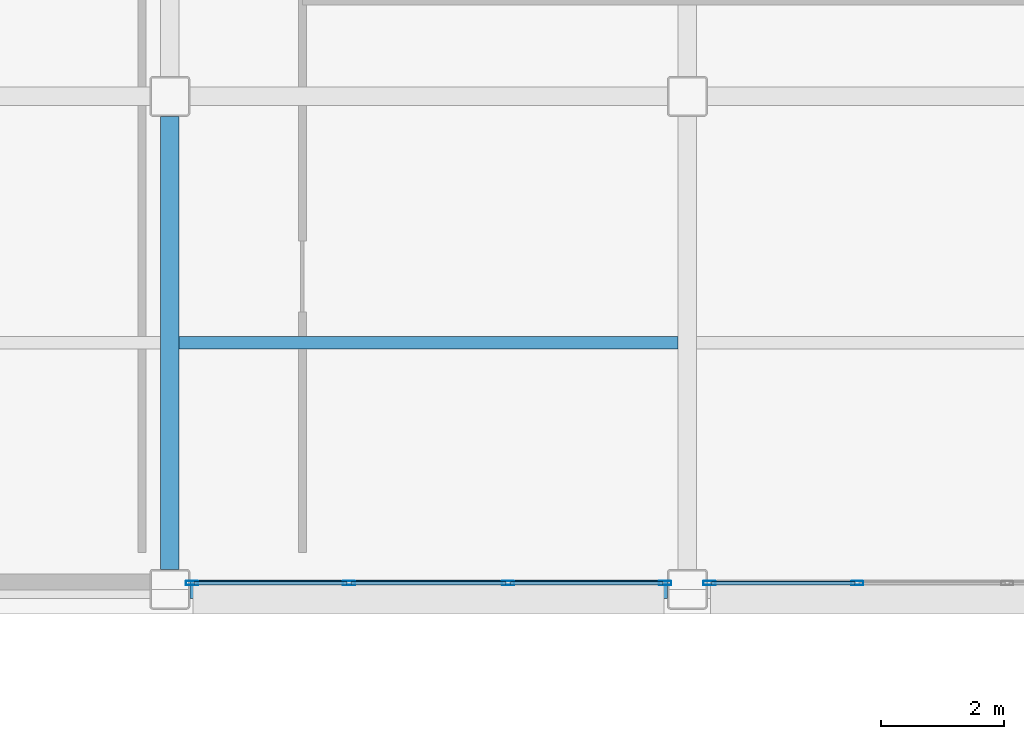
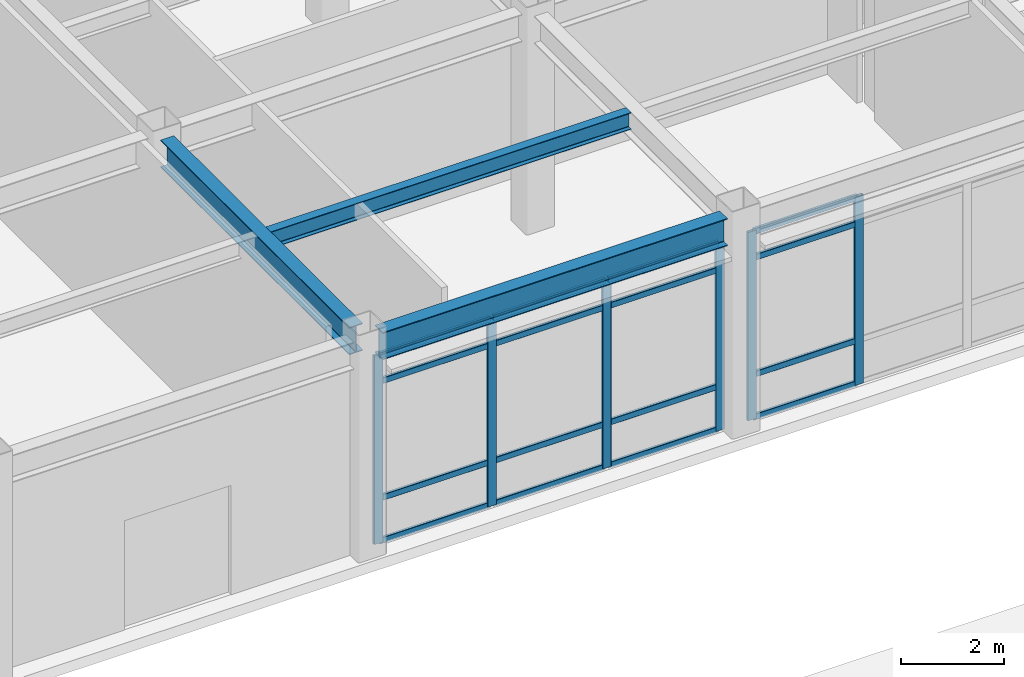
# One storey, part 42 of 165: 22 members, 3 beams, 2 elements without a shape of their own.
"""IFC4 building model written with IfcOpenShell, lengths in metres."""

from ifc_helpers import new_model, si_unit, direction, frame, origin, origin_2d, place, context, subcontext, project, spatial, hollow_rectangle, i_section, extrude, material, layer, layer_set, material_profile, profile_set, type_object, element, aggregate, save


model = new_model("IFC4")

# Units and contexts
model_context = context("Model", 3, precision=1e-05, world=origin(), true_north=direction((0.0, 1.0)))
body_context = subcontext(model_context, "Body", "Model", "MODEL_VIEW")
ifc_project = project(units=[si_unit("LENGTHUNIT", "METRE"), si_unit("AREAUNIT", "SQUARE_METRE"), si_unit("VOLUMEUNIT", "CUBIC_METRE"), si_unit("PLANEANGLEUNIT", "RADIAN"), si_unit("MASSUNIT", "GRAM", prefix="KILO")], contexts=[model_context])

# Site, building, storey
site_placement = place(None, origin())
site = spatial("IfcSite", under=ifc_project, at=site_placement, CompositionType="ELEMENT")
building_placement = place(site_placement, origin())
building = spatial("IfcBuilding", under=site, at=building_placement, Name="Kazehara Bluff Congress Hotel", CompositionType="ELEMENT")
storey_placement = place(building_placement, origin())
storey = spatial("IfcBuildingStorey", under=building, at=storey_placement, Name="L00", CompositionType="ELEMENT", Elevation=0.0)

# Curtain wall, members
ifc_material_1 = material(Name="Anodised aluminium", Category="aluminium")
ifc_layer_1 = layer(ifc_material_1, 0.159912109375)
ifc_layer_set_1 = layer_set([ifc_layer_1], Name="Anodised aluminium")
curtain_wall_type_1 = type_object("IfcCurtainWallType", Name="TP-CW-69", PredefinedType="NOTDEFINED", material=ifc_layer_set_1)
curtain_wall_1_placement = place(storey_placement, origin())
curtain_wall_1 = element("IfcCurtainWall", 1, at=curtain_wall_1_placement, inside=storey, type_object=curtain_wall_type_1, Name="L00 curtain wall CW-69 CW-ENC-V4-L00-9705-1610", PredefinedType="NOTDEFINED")
ifc_material_2 = material(Name="Anodised aluminium", Category="aluminium")
ifc_material_profile_1 = material_profile(ifc_material_2, hollow_rectangle(XDim=0.070068359375, YDim=0.199951171875, WallThickness=0.0048828125, InnerFilletRadius=0.0048828125, OuterFilletRadius=0.010009765625, at=origin_2d()))
ifc_profile_set_1 = profile_set([ifc_material_profile_1], Name="Anodised aluminium")
member_type_1 = type_object("IfcMemberType", Name="TP-CWM-03", PredefinedType="MULLION", material=ifc_profile_set_1)
member_1_placement = place(storey_placement, frame((100.889892578125, 16.10009765625, 0.0), z_axis=(0.0, 0.0, 1.0), x_axis=(0.0, -1.0, 0.0)))
member_1 = element("IfcMember", 2, at=member_1_placement, type_object=member_type_1, Name="CW-69 mullion 1", PredefinedType="MULLION", context=body_context, shape_type="SweptSolid", body=[
    extrude(hollow_rectangle(XDim=0.070068359375, YDim=0.199951171875, WallThickness=0.0048828125, InnerFilletRadius=0.0048828125, OuterFilletRadius=0.010009765625, at=origin_2d()), origin(), (0.0, 0.0, 1.0), 4.47509765625),
])
member_2_placement = place(storey_placement, frame((98.341552734375, 16.10009765625, 0.0), z_axis=(0.0, 0.0, 1.0), x_axis=(0.0, -1.0, 0.0)))
member_2 = element("IfcMember", 3, at=member_2_placement, type_object=member_type_1, Name="CW-69 mullion 2", PredefinedType="MULLION", context=body_context, shape_type="SweptSolid", body=[
    extrude(hollow_rectangle(XDim=0.070068359375, YDim=0.199951171875, WallThickness=0.0048828125, InnerFilletRadius=0.0048828125, OuterFilletRadius=0.010009765625, at=origin_2d()), origin(), (0.0, 0.0, 1.0), 4.47509765625),
])
member_3_placement = place(storey_placement, frame((95.75830078125, 16.10009765625, 0.0), z_axis=(0.0, 0.0, 1.0), x_axis=(0.0, -1.0, 0.0)))
member_3 = element("IfcMember", 4, at=member_3_placement, type_object=member_type_1, Name="CW-69 mullion 3", PredefinedType="MULLION", context=body_context, shape_type="SweptSolid", body=[
    extrude(hollow_rectangle(XDim=0.070068359375, YDim=0.199951171875, WallThickness=0.0048828125, InnerFilletRadius=0.0048828125, OuterFilletRadius=0.010009765625, at=origin_2d()), origin(), (0.0, 0.0, 1.0), 4.47509765625),
])
member_4_placement = place(storey_placement, frame((93.2099609375, 16.10009765625, 0.0), z_axis=(0.0, 0.0, 1.0), x_axis=(0.0, -1.0, 0.0)))
member_4 = element("IfcMember", 5, at=member_4_placement, type_object=member_type_1, Name="CW-69 mullion 4", PredefinedType="MULLION", context=body_context, shape_type="SweptSolid", body=[
    extrude(hollow_rectangle(XDim=0.070068359375, YDim=0.199951171875, WallThickness=0.0048828125, InnerFilletRadius=0.0048828125, OuterFilletRadius=0.010009765625, at=origin_2d()), origin(), (0.0, 0.0, 1.0), 4.47509765625),
])

ifc_material_3 = material(Name="Anodised aluminium", Category="aluminium")
ifc_layer_2 = layer(ifc_material_3, 0.159912109375)
ifc_layer_set_2 = layer_set([ifc_layer_2], Name="Anodised aluminium")
curtain_wall_type_2 = type_object("IfcCurtainWallType", Name="TP-CW-32", PredefinedType="NOTDEFINED", material=ifc_layer_set_2)
curtain_wall_2_placement = place(storey_placement, origin())
curtain_wall_2 = element("IfcCurtainWall", 6, at=curtain_wall_2_placement, inside=storey, type_object=curtain_wall_type_2, Name="L00 curtain wall CW-32 CW-ENC-V4-L00-10522-1610", PredefinedType="NOTDEFINED")
member_5_placement = place(storey_placement, frame((104.00830078125, 16.10009765625, 0.0), z_axis=(0.0, 0.0, 1.0), x_axis=(0.0, -1.0, 0.0)))
member_5 = element("IfcMember", 7, at=member_5_placement, type_object=member_type_1, Name="CW-32 mullion 3", PredefinedType="MULLION", context=body_context, shape_type="SweptSolid", body=[
    extrude(hollow_rectangle(XDim=0.070068359375, YDim=0.199951171875, WallThickness=0.0048828125, InnerFilletRadius=0.0048828125, OuterFilletRadius=0.010009765625, at=origin_2d()), origin(), (0.0, 0.0, 1.0), 4.47509765625),
])
member_6_placement = place(storey_placement, frame((101.610107421875, 16.10009765625, 0.0), z_axis=(0.0, 0.0, 1.0), x_axis=(0.0, -1.0, 0.0)))
member_6 = element("IfcMember", 8, at=member_6_placement, type_object=member_type_1, Name="CW-32 mullion 4", PredefinedType="MULLION", context=body_context, shape_type="SweptSolid", body=[
    extrude(hollow_rectangle(XDim=0.070068359375, YDim=0.199951171875, WallThickness=0.0048828125, InnerFilletRadius=0.0048828125, OuterFilletRadius=0.010009765625, at=origin_2d()), origin(), (0.0, 0.0, 1.0), 4.47509765625),
])

# Member
ifc_material_4 = material(Name="Anodised aluminium", Category="aluminium")
ifc_material_profile_2 = material_profile(ifc_material_4, hollow_rectangle(XDim=0.06494140625, YDim=0.139892578125, WallThickness=0.00390625, InnerFilletRadius=0.00390625, OuterFilletRadius=0.008056640625, at=origin_2d()))
ifc_profile_set_2 = profile_set([ifc_material_profile_2], Name="Anodised aluminium")
member_type_2 = type_object("IfcMemberType", Name="TP-CWT-02", PredefinedType="USERDEFINED", material=ifc_profile_set_2)
member_7_placement = place(storey_placement, frame((100.85498046875, 16.10009765625, 0.032470703125), z_axis=(-1.0, 0.0, 0.0), x_axis=(0.0, -1.0, 0.0)))
member_7 = element("IfcMember", 9, at=member_7_placement, type_object=member_type_2, Name="CW-69 transom 1.1", ObjectType="TRANSOM", PredefinedType="USERDEFINED", context=body_context, shape_type="SweptSolid", body=[
    extrude(hollow_rectangle(XDim=0.06494140625, YDim=0.139892578125, WallThickness=0.00390625, InnerFilletRadius=0.00390625, OuterFilletRadius=0.008056640625, at=origin_2d()), origin(), (0.0, 0.0, 1.0), 2.478271484375),
])

member_8_placement = place(storey_placement, frame((100.85498046875, 16.10009765625, 1.050048828125), z_axis=(-1.0, 0.0, 0.0), x_axis=(0.0, -1.0, 0.0)))
member_8 = element("IfcMember", 10, at=member_8_placement, type_object=member_type_2, Name="CW-69 transom 1.2", ObjectType="TRANSOM", PredefinedType="USERDEFINED", context=body_context, shape_type="SweptSolid", body=[
    extrude(hollow_rectangle(XDim=0.06494140625, YDim=0.139892578125, WallThickness=0.00390625, InnerFilletRadius=0.00390625, OuterFilletRadius=0.008056640625, at=origin_2d()), origin(), (0.0, 0.0, 1.0), 2.478271484375),
])

member_9_placement = place(storey_placement, frame((100.85498046875, 16.10009765625, 3.824951171875), z_axis=(-1.0, 0.0, 0.0), x_axis=(0.0, -1.0, 0.0)))
member_9 = element("IfcMember", 11, at=member_9_placement, type_object=member_type_2, Name="CW-69 transom 1.3", ObjectType="TRANSOM", PredefinedType="USERDEFINED", context=body_context, shape_type="SweptSolid", body=[
    extrude(hollow_rectangle(XDim=0.06494140625, YDim=0.139892578125, WallThickness=0.00390625, InnerFilletRadius=0.00390625, OuterFilletRadius=0.008056640625, at=origin_2d()), origin(), (0.0, 0.0, 1.0), 2.478271484375),
])

member_10_placement = place(storey_placement, frame((100.85498046875, 16.10009765625, 4.4423828125), z_axis=(-1.0, 0.0, 0.0), x_axis=(0.0, -1.0, 0.0)))
member_10 = element("IfcMember", 12, at=member_10_placement, type_object=member_type_2, Name="CW-69 transom 1.4", ObjectType="TRANSOM", PredefinedType="USERDEFINED", context=body_context, shape_type="SweptSolid", body=[
    extrude(hollow_rectangle(XDim=0.06494140625, YDim=0.139892578125, WallThickness=0.00390625, InnerFilletRadius=0.00390625, OuterFilletRadius=0.008056640625, at=origin_2d()), origin(), (0.0, 0.0, 1.0), 2.478271484375),
])

member_11_placement = place(storey_placement, frame((98.306640625, 16.10009765625, 0.032470703125), z_axis=(-1.0, 0.0, 0.0), x_axis=(0.0, -1.0, 0.0)))
member_11 = element("IfcMember", 13, at=member_11_placement, type_object=member_type_2, Name="CW-69 transom 2.1", ObjectType="TRANSOM", PredefinedType="USERDEFINED", context=body_context, shape_type="SweptSolid", body=[
    extrude(hollow_rectangle(XDim=0.06494140625, YDim=0.139892578125, WallThickness=0.00390625, InnerFilletRadius=0.00390625, OuterFilletRadius=0.008056640625, at=origin_2d()), origin(), (0.0, 0.0, 1.0), 2.513427734375),
])

member_12_placement = place(storey_placement, frame((98.306640625, 16.10009765625, 1.050048828125), z_axis=(-1.0, 0.0, 0.0), x_axis=(0.0, -1.0, 0.0)))
member_12 = element("IfcMember", 14, at=member_12_placement, type_object=member_type_2, Name="CW-69 transom 2.2", ObjectType="TRANSOM", PredefinedType="USERDEFINED", context=body_context, shape_type="SweptSolid", body=[
    extrude(hollow_rectangle(XDim=0.06494140625, YDim=0.139892578125, WallThickness=0.00390625, InnerFilletRadius=0.00390625, OuterFilletRadius=0.008056640625, at=origin_2d()), origin(), (0.0, 0.0, 1.0), 2.513427734375),
])

member_13_placement = place(storey_placement, frame((98.306640625, 16.10009765625, 3.824951171875), z_axis=(-1.0, 0.0, 0.0), x_axis=(0.0, -1.0, 0.0)))
member_13 = element("IfcMember", 15, at=member_13_placement, type_object=member_type_2, Name="CW-69 transom 2.3", ObjectType="TRANSOM", PredefinedType="USERDEFINED", context=body_context, shape_type="SweptSolid", body=[
    extrude(hollow_rectangle(XDim=0.06494140625, YDim=0.139892578125, WallThickness=0.00390625, InnerFilletRadius=0.00390625, OuterFilletRadius=0.008056640625, at=origin_2d()), origin(), (0.0, 0.0, 1.0), 2.513427734375),
])

member_14_placement = place(storey_placement, frame((98.306640625, 16.10009765625, 4.4423828125), z_axis=(-1.0, 0.0, 0.0), x_axis=(0.0, -1.0, 0.0)))
member_14 = element("IfcMember", 16, at=member_14_placement, type_object=member_type_2, Name="CW-69 transom 2.4", ObjectType="TRANSOM", PredefinedType="USERDEFINED", context=body_context, shape_type="SweptSolid", body=[
    extrude(hollow_rectangle(XDim=0.06494140625, YDim=0.139892578125, WallThickness=0.00390625, InnerFilletRadius=0.00390625, OuterFilletRadius=0.008056640625, at=origin_2d()), origin(), (0.0, 0.0, 1.0), 2.513427734375),
])

member_15_placement = place(storey_placement, frame((95.723388671875, 16.10009765625, 0.032470703125), z_axis=(-1.0, 0.0, 0.0), x_axis=(0.0, -1.0, 0.0)))
member_15 = element("IfcMember", 17, at=member_15_placement, type_object=member_type_2, Name="CW-69 transom 3.1", ObjectType="TRANSOM", PredefinedType="USERDEFINED", context=body_context, shape_type="SweptSolid", body=[
    extrude(hollow_rectangle(XDim=0.06494140625, YDim=0.139892578125, WallThickness=0.00390625, InnerFilletRadius=0.00390625, OuterFilletRadius=0.008056640625, at=origin_2d()), origin(), (0.0, 0.0, 1.0), 2.478271484375),
])

member_16_placement = place(storey_placement, frame((95.723388671875, 16.10009765625, 1.050048828125), z_axis=(-1.0, 0.0, 0.0), x_axis=(0.0, -1.0, 0.0)))
member_16 = element("IfcMember", 18, at=member_16_placement, type_object=member_type_2, Name="CW-69 transom 3.2", ObjectType="TRANSOM", PredefinedType="USERDEFINED", context=body_context, shape_type="SweptSolid", body=[
    extrude(hollow_rectangle(XDim=0.06494140625, YDim=0.139892578125, WallThickness=0.00390625, InnerFilletRadius=0.00390625, OuterFilletRadius=0.008056640625, at=origin_2d()), origin(), (0.0, 0.0, 1.0), 2.478271484375),
])

member_17_placement = place(storey_placement, frame((95.723388671875, 16.10009765625, 3.824951171875), z_axis=(-1.0, 0.0, 0.0), x_axis=(0.0, -1.0, 0.0)))
member_17 = element("IfcMember", 19, at=member_17_placement, type_object=member_type_2, Name="CW-69 transom 3.3", ObjectType="TRANSOM", PredefinedType="USERDEFINED", context=body_context, shape_type="SweptSolid", body=[
    extrude(hollow_rectangle(XDim=0.06494140625, YDim=0.139892578125, WallThickness=0.00390625, InnerFilletRadius=0.00390625, OuterFilletRadius=0.008056640625, at=origin_2d()), origin(), (0.0, 0.0, 1.0), 2.478271484375),
])

member_18_placement = place(storey_placement, frame((95.723388671875, 16.10009765625, 4.4423828125), z_axis=(-1.0, 0.0, 0.0), x_axis=(0.0, -1.0, 0.0)))
member_18 = element("IfcMember", 20, at=member_18_placement, type_object=member_type_2, Name="CW-69 transom 3.4", ObjectType="TRANSOM", PredefinedType="USERDEFINED", context=body_context, shape_type="SweptSolid", body=[
    extrude(hollow_rectangle(XDim=0.06494140625, YDim=0.139892578125, WallThickness=0.00390625, InnerFilletRadius=0.00390625, OuterFilletRadius=0.008056640625, at=origin_2d()), origin(), (0.0, 0.0, 1.0), 2.478271484375),
])

aggregate(curtain_wall_1, [member_1, member_2, member_3, member_4, member_7, member_8, member_9, member_10, member_11, member_12, member_13, member_14, member_15, member_16, member_17, member_18])

member_19_placement = place(storey_placement, frame((103.973388671875, 16.10009765625, 0.032470703125), z_axis=(-1.0, 0.0, 0.0), x_axis=(0.0, -1.0, 0.0)))
member_19 = element("IfcMember", 21, at=member_19_placement, type_object=member_type_2, Name="CW-32 transom 3.1", ObjectType="TRANSOM", PredefinedType="USERDEFINED", context=body_context, shape_type="SweptSolid", body=[
    extrude(hollow_rectangle(XDim=0.06494140625, YDim=0.139892578125, WallThickness=0.00390625, InnerFilletRadius=0.00390625, OuterFilletRadius=0.008056640625, at=origin_2d()), origin(), (0.0, 0.0, 1.0), 2.328369140625),
])

member_20_placement = place(storey_placement, frame((103.973388671875, 16.10009765625, 1.050048828125), z_axis=(-1.0, 0.0, 0.0), x_axis=(0.0, -1.0, 0.0)))
member_20 = element("IfcMember", 22, at=member_20_placement, type_object=member_type_2, Name="CW-32 transom 3.2", ObjectType="TRANSOM", PredefinedType="USERDEFINED", context=body_context, shape_type="SweptSolid", body=[
    extrude(hollow_rectangle(XDim=0.06494140625, YDim=0.139892578125, WallThickness=0.00390625, InnerFilletRadius=0.00390625, OuterFilletRadius=0.008056640625, at=origin_2d()), origin(), (0.0, 0.0, 1.0), 2.328369140625),
])

member_21_placement = place(storey_placement, frame((103.973388671875, 16.10009765625, 3.824951171875), z_axis=(-1.0, 0.0, 0.0), x_axis=(0.0, -1.0, 0.0)))
member_21 = element("IfcMember", 23, at=member_21_placement, type_object=member_type_2, Name="CW-32 transom 3.3", ObjectType="TRANSOM", PredefinedType="USERDEFINED", context=body_context, shape_type="SweptSolid", body=[
    extrude(hollow_rectangle(XDim=0.06494140625, YDim=0.139892578125, WallThickness=0.00390625, InnerFilletRadius=0.00390625, OuterFilletRadius=0.008056640625, at=origin_2d()), origin(), (0.0, 0.0, 1.0), 2.328369140625),
])

member_22_placement = place(storey_placement, frame((103.973388671875, 16.10009765625, 4.4423828125), z_axis=(-1.0, 0.0, 0.0), x_axis=(0.0, -1.0, 0.0)))
member_22 = element("IfcMember", 24, at=member_22_placement, type_object=member_type_2, Name="CW-32 transom 3.4", ObjectType="TRANSOM", PredefinedType="USERDEFINED", context=body_context, shape_type="SweptSolid", body=[
    extrude(hollow_rectangle(XDim=0.06494140625, YDim=0.139892578125, WallThickness=0.00390625, InnerFilletRadius=0.00390625, OuterFilletRadius=0.008056640625, at=origin_2d()), origin(), (0.0, 0.0, 1.0), 2.328369140625),
])

aggregate(curtain_wall_2, [member_5, member_6, member_19, member_20, member_21, member_22])

# Beams
ifc_material_5 = material(Name="Steel SN490B", Category="steel")
ifc_material_profile_3 = material_profile(ifc_material_5, i_section(OverallWidth=0.300048828125, OverallDepth=0.64990234375, WebThickness=0.011962890625, FlangeThickness=0.02001953125, FilletRadius=0.012939453125, at=origin_2d()))
ifc_profile_set_3 = profile_set([ifc_material_profile_3], Name="Steel SN490B")
beam_type_1 = type_object("IfcBeamType", Name="TP-G-03", PredefinedType="BEAM", material=ifc_profile_set_3)
beam_1_placement = place(storey_placement, frame((92.85009765625, 16.324951171875, 4.824951171875), z_axis=(0.0, 1.0, 0.0), x_axis=(-1.0, 0.0, 0.0)))
element("IfcBeam", 25, at=beam_1_placement, inside=storey, type_object=beam_type_1, Name="L00 girder G-03 170", PredefinedType="BEAM", context=body_context, shape_type="SweptSolid", body=[
    extrude(i_section(OverallWidth=0.300048828125, OverallDepth=0.64990234375, WebThickness=0.011962890625, FlangeThickness=0.02001953125, FilletRadius=0.012939453125, at=origin_2d()), origin(), (0.0, 0.0, 1.0), 7.35009765625),
])
beam_2_placement = place(storey_placement, frame((93.175048828125, 16.0, 4.824951171875), z_axis=(1.0, 0.0, 0.0), x_axis=(0.0, 1.0, 0.0)))
element("IfcBeam", 26, at=beam_2_placement, inside=storey, type_object=beam_type_1, Name="L00 girder G-03 191", PredefinedType="BEAM", context=body_context, shape_type="SweptSolid", body=[
    extrude(i_section(OverallWidth=0.300048828125, OverallDepth=0.64990234375, WebThickness=0.011962890625, FlangeThickness=0.02001953125, FilletRadius=0.012939453125, at=origin_2d()), origin(), (0.0, 0.0, 1.0), 7.75),
])
ifc_material_6 = material(Name="Steel SN400B", Category="steel")
ifc_material_profile_4 = material_profile(ifc_material_6, i_section(OverallWidth=0.199951171875, OverallDepth=0.39990234375, WebThickness=0.008056640625, FlangeThickness=0.012939453125, FilletRadius=0.012939453125, at=origin_2d()))
ifc_profile_set_4 = profile_set([ifc_material_profile_4], Name="Steel SN400B")
beam_type_2 = type_object("IfcBeamType", Name="TP-J-03", PredefinedType="JOIST", material=ifc_profile_set_4)
beam_3_placement = place(storey_placement, frame((93.0, 20.0, 4.949951171875), z_axis=(1.0, 0.0, 0.0), x_axis=(0.0, 1.0, 0.0)))
element("IfcBeam", 27, at=beam_3_placement, inside=storey, type_object=beam_type_2, Name="L00 secondary joist J-03 43", PredefinedType="JOIST", context=body_context, shape_type="SweptSolid", body=[
    extrude(i_section(OverallWidth=0.199951171875, OverallDepth=0.39990234375, WebThickness=0.008056640625, FlangeThickness=0.012939453125, FilletRadius=0.012939453125, at=origin_2d()), origin(), (0.0, 0.0, 1.0), 8.10009765625),
])

save(model, "model.ifc")
